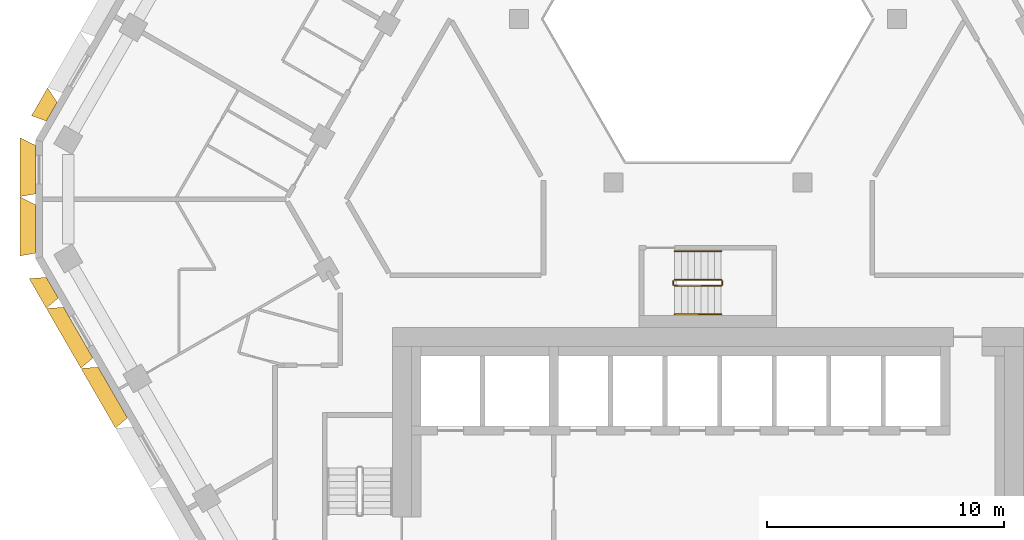
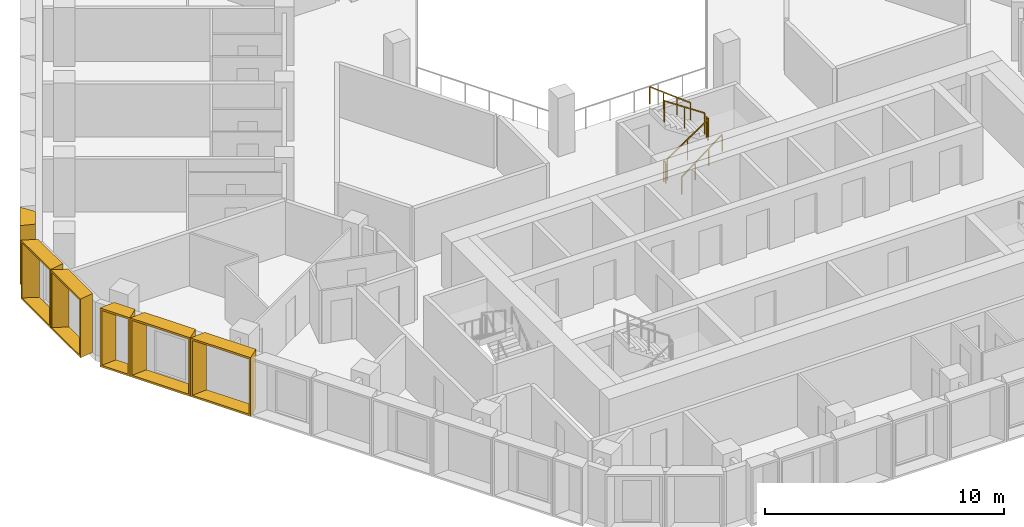
# One storey, part 13 of 15: 6 railings, 6 shading devices.
"""IFC4 building model written with IfcOpenShell, lengths in metres."""

from ifc_helpers import new_model, entity, si_unit, direction, frame, origin, origin_2d, place, context, subcontext, project, spatial, rectangle, extrude, source, transform, mapped, material, type_object, type_shapes, element, save


model = new_model("IFC4")

# Units and contexts
model_context = context("Model", 3, precision=1e-05, world=origin(), true_north=direction((0.0, 1.0)))
body_context = subcontext(model_context, "Body", "Model", "MODEL_VIEW")
ifc_project = project(units=[si_unit("LENGTHUNIT", "METRE"), si_unit("AREAUNIT", "SQUARE_METRE"), si_unit("VOLUMEUNIT", "CUBIC_METRE"), si_unit("PLANEANGLEUNIT", "RADIAN"), si_unit("MASSUNIT", "GRAM", prefix="KILO")], contexts=[model_context])

# Site, building, storey
site_placement = place(None, origin())
site = spatial("IfcSite", under=ifc_project, at=site_placement, CompositionType="ELEMENT")
building_placement = place(site_placement, origin())
building = spatial("IfcBuilding", under=site, at=building_placement, Name="Beryl Residences", CompositionType="ELEMENT")
storey_placement = place(building_placement, frame((0.0, 0.0, 147.60009765625)))
storey = spatial("IfcBuildingStorey", under=building, at=storey_placement, Name="L45", CompositionType="ELEMENT", Elevation=147.60009765625)

# Shading devices
ifc_material_1 = material(Name="Aluminium pale anodised", Category="aluminium")
shading_device_type_1 = type_object("IfcShadingDeviceType", Name="FR137-65B OUTER SKIN frame 650 mm deep, splay 26/10 deg, 1370 x 3000 mm cell", PredefinedType="USERDEFINED", material=ifc_material_1)
cartesian_point_1 = entity("IfcCartesianPoint", [-0.458984375, 0.0])
cartesian_point_2 = entity("IfcCartesianPoint", [-0.369873046875, 0.10009765625])
cartesian_point_3 = entity("IfcCartesianPoint", [-0.776123046875, 0.0])
cartesian_point_4 = entity("IfcCartesianPoint", [-0.68701171875, 0.10009765625])
shared_shape_1 = source(origin(), body_context, "Body", "SweptSolid", [
    entity("IfcExtrudedAreaSolidTapered", entity("IfcArbitraryProfileDefWithVoids", "AREA", None, entity("IfcPolyline", [cartesian_point_1, entity("IfcCartesianPoint", [0.458984375, 0.0]), entity("IfcCartesianPoint", [0.458984375, 3.0]), entity("IfcCartesianPoint", [-0.458984375, 3.0]), cartesian_point_1]), [entity("IfcPolyline", [cartesian_point_2, entity("IfcCartesianPoint", [0.377685546875, 0.10009765625]), entity("IfcCartesianPoint", [0.377685546875, 2.89990234375]), entity("IfcCartesianPoint", [-0.369873046875, 2.89990234375]), cartesian_point_2])]), entity("IfcAxis2Placement3D", entity("IfcCartesianPoint", [0.0, 0.0, 0.0]), entity("IfcDirection", [0.0, 1.0, 0.0]), entity("IfcDirection", [-1.0, 0.0, 0.0])), entity("IfcDirection", [0.0, 0.0, 1.0]), 0.64990234375, entity("IfcArbitraryProfileDefWithVoids", "AREA", None, entity("IfcPolyline", [cartesian_point_3, entity("IfcCartesianPoint", [0.57373046875, 0.0]), entity("IfcCartesianPoint", [0.57373046875, 3.0]), entity("IfcCartesianPoint", [-0.776123046875, 3.0]), cartesian_point_3]), [entity("IfcPolyline", [cartesian_point_4, entity("IfcCartesianPoint", [0.492431640625, 0.10009765625]), entity("IfcCartesianPoint", [0.492431640625, 2.89990234375]), entity("IfcCartesianPoint", [-0.68701171875, 2.89990234375]), cartesian_point_4])])),
])
type_shapes(shading_device_type_1, [shared_shape_1])
shading_device_1_placement = place(storey_placement, frame((-27.658935546875, 4.093017578125, 0.0), z_axis=(0.0, 0.0, 1.0), x_axis=(0.5, 0.866025403784, 0.0)))
element("IfcShadingDevice", 1, at=shading_device_1_placement, inside=storey, type_object=shading_device_type_1, Name="FR137-65B frame L45 NW 9", ObjectType="OUTER SKIN", PredefinedType="USERDEFINED", context=body_context, shape_type="MappedRepresentation", body=[
    mapped(shared_shape_1, transform((0.0, 0.0, 0.0))),
])
ifc_material_2 = material(Name="Aluminium pale anodised", Category="aluminium")
shading_device_type_2 = type_object("IfcShadingDeviceType", Name="FR146-65B OUTER SKIN frame 650 mm deep, splay 26/10 deg, 1460 x 3000 mm cell", PredefinedType="USERDEFINED", material=ifc_material_2)
cartesian_point_5 = entity("IfcCartesianPoint", [-0.50390625, 0.0])
cartesian_point_6 = entity("IfcCartesianPoint", [-0.4150390625, 0.10009765625])
cartesian_point_7 = entity("IfcCartesianPoint", [-0.821044921875, 0.0])
cartesian_point_8 = entity("IfcCartesianPoint", [-0.73193359375, 0.10009765625])
shared_shape_2 = source(origin(), body_context, "Body", "SweptSolid", [
    entity("IfcExtrudedAreaSolidTapered", entity("IfcArbitraryProfileDefWithVoids", "AREA", None, entity("IfcPolyline", [cartesian_point_5, entity("IfcCartesianPoint", [0.50390625, 0.0]), entity("IfcCartesianPoint", [0.50390625, 3.0]), entity("IfcCartesianPoint", [-0.50390625, 3.0]), cartesian_point_5]), [entity("IfcPolyline", [cartesian_point_6, entity("IfcCartesianPoint", [0.4228515625, 0.10009765625]), entity("IfcCartesianPoint", [0.4228515625, 2.89990234375]), entity("IfcCartesianPoint", [-0.4150390625, 2.89990234375]), cartesian_point_6])]), entity("IfcAxis2Placement3D", entity("IfcCartesianPoint", [0.0, 0.0, 0.0]), entity("IfcDirection", [0.0, 1.0, 0.0]), entity("IfcDirection", [-1.0, 0.0, 0.0])), entity("IfcDirection", [0.0, 0.0, 1.0]), 0.64990234375, entity("IfcArbitraryProfileDefWithVoids", "AREA", None, entity("IfcPolyline", [cartesian_point_7, entity("IfcCartesianPoint", [0.61865234375, 0.0]), entity("IfcCartesianPoint", [0.61865234375, 3.0]), entity("IfcCartesianPoint", [-0.821044921875, 3.0]), cartesian_point_7]), [entity("IfcPolyline", [cartesian_point_8, entity("IfcCartesianPoint", [0.537353515625, 0.10009765625]), entity("IfcCartesianPoint", [0.537353515625, 2.89990234375]), entity("IfcCartesianPoint", [-0.73193359375, 2.89990234375]), cartesian_point_8])])),
])
type_shapes(shading_device_type_2, [shared_shape_2])
shading_device_2_placement = place(storey_placement, frame((-27.636962890625, -3.3310546875, 0.0), z_axis=(0.0, 0.0, 1.0), x_axis=(-0.5, 0.866025403784, 0.0)))
element("IfcShadingDevice", 2, at=shading_device_2_placement, inside=storey, type_object=shading_device_type_2, Name="FR146-65B frame L45 SW 1", ObjectType="OUTER SKIN", PredefinedType="USERDEFINED", context=body_context, shape_type="MappedRepresentation", body=[
    mapped(shared_shape_2, transform((0.0, 0.0, 0.0))),
])
ifc_material_3 = material(Name="Aluminium pale anodised", Category="aluminium")
shading_device_type_3 = type_object("IfcShadingDeviceType", Name="FR250-65B OUTER SKIN frame 650 mm deep, splay 26/10 deg, 2500 x 3000 mm cell", PredefinedType="USERDEFINED", material=ifc_material_3)
cartesian_point_9 = entity("IfcCartesianPoint", [-1.02392578125, 0.0])
cartesian_point_10 = entity("IfcCartesianPoint", [-0.93505859375, 0.10009765625])
cartesian_point_11 = entity("IfcCartesianPoint", [-1.341064453125, 0.0])
cartesian_point_12 = entity("IfcCartesianPoint", [-1.251953125, 0.10009765625])
shared_shape_3 = source(origin(), body_context, "Body", "SweptSolid", [
    entity("IfcExtrudedAreaSolidTapered", entity("IfcArbitraryProfileDefWithVoids", "AREA", None, entity("IfcPolyline", [cartesian_point_9, entity("IfcCartesianPoint", [1.02392578125, 0.0]), entity("IfcCartesianPoint", [1.02392578125, 3.0]), entity("IfcCartesianPoint", [-1.02392578125, 3.0]), cartesian_point_9]), [entity("IfcPolyline", [cartesian_point_10, entity("IfcCartesianPoint", [0.94287109375, 0.10009765625]), entity("IfcCartesianPoint", [0.94287109375, 2.89990234375]), entity("IfcCartesianPoint", [-0.93505859375, 2.89990234375]), cartesian_point_10])]), entity("IfcAxis2Placement3D", entity("IfcCartesianPoint", [0.0, 0.0, 0.0]), entity("IfcDirection", [0.0, 1.0, 0.0]), entity("IfcDirection", [-1.0, 0.0, 0.0])), entity("IfcDirection", [0.0, 0.0, 1.0]), 0.64990234375, entity("IfcArbitraryProfileDefWithVoids", "AREA", None, entity("IfcPolyline", [cartesian_point_11, entity("IfcCartesianPoint", [1.138671875, 0.0]), entity("IfcCartesianPoint", [1.138671875, 3.0]), entity("IfcCartesianPoint", [-1.341064453125, 3.0]), cartesian_point_11]), [entity("IfcPolyline", [cartesian_point_12, entity("IfcCartesianPoint", [1.057373046875, 0.10009765625]), entity("IfcCartesianPoint", [1.057373046875, 2.89990234375]), entity("IfcCartesianPoint", [-1.251953125, 2.89990234375]), cartesian_point_12])])),
])
type_shapes(shading_device_type_3, [shared_shape_3])
for number, where, z_axis, x_axis, name in (
    (3, (-28.347900390625, 1.64990234375, 0.0), (0.0, 0.0, 1.0), (0.0, 1.0, 0.0), "FR250-65B frame L45 NW-SW 1"),
    (4, (-28.347900390625, -0.85009765625, 0.0), (0.0, 0.0, 1.0), (0.0, 1.0, 0.0), "FR250-65B frame L45 NW-SW 2"),
):
    element("IfcShadingDevice", number, at=place(storey_placement, frame(where, z_axis=z_axis, x_axis=x_axis)), inside=storey, type_object=shading_device_type_3, Name=name, ObjectType="OUTER SKIN", PredefinedType="USERDEFINED", context=body_context, shape_type="MappedRepresentation", body=[
        mapped(shared_shape_3, transform((0.0, 0.0, 0.0))),
    ])
ifc_material_4 = material(Name="Aluminium pale anodised", Category="aluminium")
shading_device_type_4 = type_object("IfcShadingDeviceType", Name="FR292-65B OUTER SKIN frame 650 mm deep, splay 26/10 deg, 2920 x 3000 mm cell", PredefinedType="USERDEFINED", material=ifc_material_4)
cartesian_point_13 = entity("IfcCartesianPoint", [-1.23388671875, 0.0])
cartesian_point_14 = entity("IfcCartesianPoint", [-1.14501953125, 0.10009765625])
cartesian_point_15 = entity("IfcCartesianPoint", [-1.551025390625, 0.0])
cartesian_point_16 = entity("IfcCartesianPoint", [-1.4619140625, 0.10009765625])
shared_shape_4 = source(origin(), body_context, "Body", "SweptSolid", [
    entity("IfcExtrudedAreaSolidTapered", entity("IfcArbitraryProfileDefWithVoids", "AREA", None, entity("IfcPolyline", [cartesian_point_13, entity("IfcCartesianPoint", [1.23388671875, 0.0]), entity("IfcCartesianPoint", [1.23388671875, 3.0]), entity("IfcCartesianPoint", [-1.23388671875, 3.0]), cartesian_point_13]), [entity("IfcPolyline", [cartesian_point_14, entity("IfcCartesianPoint", [1.15283203125, 0.10009765625]), entity("IfcCartesianPoint", [1.15283203125, 2.89990234375]), entity("IfcCartesianPoint", [-1.14501953125, 2.89990234375]), cartesian_point_14])]), entity("IfcAxis2Placement3D", entity("IfcCartesianPoint", [0.0, 0.0, 0.0]), entity("IfcDirection", [0.0, 1.0, 0.0]), entity("IfcDirection", [-1.0, 0.0, 0.0])), entity("IfcDirection", [0.0, 0.0, 1.0]), 0.64990234375, entity("IfcArbitraryProfileDefWithVoids", "AREA", None, entity("IfcPolyline", [cartesian_point_15, entity("IfcCartesianPoint", [1.3486328125, 0.0]), entity("IfcCartesianPoint", [1.3486328125, 3.0]), entity("IfcCartesianPoint", [-1.551025390625, 3.0]), cartesian_point_15]), [entity("IfcPolyline", [cartesian_point_16, entity("IfcCartesianPoint", [1.267333984375, 0.10009765625]), entity("IfcCartesianPoint", [1.267333984375, 2.89990234375]), entity("IfcCartesianPoint", [-1.4619140625, 2.89990234375]), cartesian_point_16])])),
])
type_shapes(shading_device_type_4, [shared_shape_4])
for number, where, z_axis, x_axis, name in (
    (5, (-26.5439453125, -5.22412109375, 0.0), (0.0, 0.0, 1.0), (-0.5, 0.866025403784, 0.0), "FR292-65B frame L45 SW 2"),
    (6, (-25.0859375, -7.7490234375, 0.0), (0.0, 0.0, 1.0), (-0.5, 0.866025403784, 0.0), "FR292-65B frame L45 SW 3"),
):
    element("IfcShadingDevice", number, at=place(storey_placement, frame(where, z_axis=z_axis, x_axis=x_axis)), inside=storey, type_object=shading_device_type_4, Name=name, ObjectType="OUTER SKIN", PredefinedType="USERDEFINED", context=body_context, shape_type="MappedRepresentation", body=[
        mapped(shared_shape_4, transform((0.0, 0.0, 0.0))),
    ])

# Railings
ifc_material_5 = material(Name="Stainless steel balustrade with glass infill", Category="steel")
railing_type_1 = type_object("IfcRailingType", Name="SG1 stair guard 1100 mm", PredefinedType="GUARDRAIL", material=ifc_material_5)
railing_1_placement = place(storey_placement, frame((-1.39990234375, -3.25, 0.1875)))
element("IfcRailing", 7, at=railing_1_placement, inside=storey, type_object=railing_type_1, Name="L45 ST-4 stair guard 1", PredefinedType="GUARDRAIL", context=body_context, shape_type="SweptSolid", body=[
    extrude(rectangle(XDim=0.048095703125, YDim=0.048095703125, at=origin_2d()), frame((0.0, 0.0, 1.076171875), z_axis=(0.830902050051, 0.0, 0.556418712142), x_axis=(0.0, 1.0, 0.0)), (0.0, 0.0, 1.0), 2.35888671875),
    extrude(rectangle(XDim=0.0419921875, YDim=0.0419921875, at=origin_2d()), origin(), (0.0, 0.0, 1.0), 1.052001953125),
    extrude(rectangle(XDim=0.0419921875, YDim=0.0419921875, at=origin_2d()), frame((0.97998046875, 0.0, 0.65625)), (0.0, 0.0, 1.0), 1.052001953125),
    extrude(rectangle(XDim=0.0419921875, YDim=0.0419921875, at=origin_2d()), frame((1.9599609375, 0.0, 1.3125)), (0.0, 0.0, 1.0), 1.052001953125),
])
railing_2_placement = place(storey_placement, frame((0.610107421875, -3.199951171875, 1.5)))
element("IfcRailing", 8, at=railing_2_placement, inside=storey, type_object=railing_type_1, Name="L45 ST-4 stair guard 2", PredefinedType="GUARDRAIL", context=body_context, shape_type="SweptSolid", body=[
    extrude(rectangle(XDim=0.048095703125, YDim=0.048095703125, at=origin_2d()), frame((0.0, 0.0, 1.076171875), z_axis=(0.0, 1.0, 0.0), x_axis=(-1.0, 0.0, 0.0)), (0.0, 0.0, 1.0), 0.14990234375),
    extrude(rectangle(XDim=0.0419921875, YDim=0.0419921875, at=origin_2d()), origin(), (0.0, 0.0, 1.0), 1.052001953125),
    extrude(rectangle(XDim=0.0419921875, YDim=0.0419921875, at=origin_2d()), frame((0.0, 0.14990234375, 0.0)), (0.0, 0.0, 1.0), 1.052001953125),
])
railing_3_placement = place(storey_placement, frame((0.56005859375, -3.0, 1.6875)))
element("IfcRailing", 9, at=railing_3_placement, inside=storey, type_object=railing_type_1, Name="L45 ST-4 stair guard 3", PredefinedType="GUARDRAIL", context=body_context, shape_type="SweptSolid", body=[
    extrude(rectangle(XDim=0.048095703125, YDim=0.048095703125, at=origin_2d()), frame((0.0, 0.0, 1.076171875), z_axis=(-0.830902050051, 0.0, 0.556418712142), x_axis=(0.0, -1.0, 0.0)), (0.0, 0.0, 1.0), 2.35888671875),
    extrude(rectangle(XDim=0.0419921875, YDim=0.0419921875, at=origin_2d()), origin(), (0.0, 0.0, 1.0), 1.052001953125),
    extrude(rectangle(XDim=0.0419921875, YDim=0.0419921875, at=origin_2d()), frame((-0.97998046875, 0.0, 0.65625)), (0.0, 0.0, 1.0), 1.052001953125),
    extrude(rectangle(XDim=0.0419921875, YDim=0.0419921875, at=origin_2d()), frame((-1.9599609375, 0.0, 1.3125)), (0.0, 0.0, 1.0), 1.052001953125),
])
railing_4_placement = place(storey_placement, frame((-1.449951171875, -3.199951171875, 0.0)))
element("IfcRailing", 10, at=railing_4_placement, inside=storey, type_object=railing_type_1, Name="L45 ST-4 stair guard 4", PredefinedType="GUARDRAIL", context=body_context, shape_type="SweptSolid", body=[
    extrude(rectangle(XDim=0.048095703125, YDim=0.048095703125, at=origin_2d()), frame((0.0, 0.0, 1.076171875), z_axis=(0.0, 1.0, 0.0), x_axis=(-1.0, 0.0, 0.0)), (0.0, 0.0, 1.0), 0.14990234375),
    extrude(rectangle(XDim=0.0419921875, YDim=0.0419921875, at=origin_2d()), origin(), (0.0, 0.0, 1.0), 1.052001953125),
    extrude(rectangle(XDim=0.0419921875, YDim=0.0419921875, at=origin_2d()), frame((0.0, 0.14990234375, 0.0)), (0.0, 0.0, 1.0), 1.052001953125),
])
ifc_material_6 = material(Name="Stainless steel handrail", Category="steel")
railing_type_2 = type_object("IfcRailingType", Name="SRL1 stair handrail 900 mm", PredefinedType="HANDRAIL", material=ifc_material_6)
railing_5_placement = place(storey_placement, frame((-1.39990234375, -4.449951171875, 0.1875)))
element("IfcRailing", 11, at=railing_5_placement, inside=storey, type_object=railing_type_2, Name="L45 ST-4 stair handrail 1", PredefinedType="HANDRAIL", context=body_context, shape_type="SweptSolid", body=[
    extrude(rectangle(XDim=0.048095703125, YDim=0.048095703125, at=origin_2d()), frame((0.0, 0.0, 0.8759765625), z_axis=(0.794121922505, 0.0, 0.607758481798), x_axis=(0.0, 1.0, 0.0)), (0.0, 0.0, 1.0), 2.468017578125),
    extrude(rectangle(XDim=0.0419921875, YDim=0.0419921875, at=origin_2d()), origin(), (0.0, 0.0, 1.0), 0.851806640625),
    extrude(rectangle(XDim=0.0419921875, YDim=0.0419921875, at=origin_2d()), frame((0.6533203125, 0.0, 0.5)), (0.0, 0.0, 1.0), 0.851806640625),
    extrude(rectangle(XDim=0.0419921875, YDim=0.0419921875, at=origin_2d()), frame((1.306640625, 0.0, 1.0)), (0.0, 0.0, 1.0), 0.851806640625),
    extrude(rectangle(XDim=0.0419921875, YDim=0.0419921875, at=origin_2d()), frame((1.9599609375, 0.0, 1.5)), (0.0, 0.0, 1.0), 0.851806640625),
])
railing_6_placement = place(storey_placement, frame((0.56005859375, -1.800048828125, 1.6875)))
element("IfcRailing", 12, at=railing_6_placement, inside=storey, type_object=railing_type_2, Name="L45 ST-4 stair handrail 2", PredefinedType="HANDRAIL", context=body_context, shape_type="SweptSolid", body=[
    extrude(rectangle(XDim=0.048095703125, YDim=0.048095703125, at=origin_2d()), frame((0.0, 0.0, 0.8759765625), z_axis=(-0.794121922505, 0.0, 0.607758481798), x_axis=(0.0, -1.0, 0.0)), (0.0, 0.0, 1.0), 2.468017578125),
    extrude(rectangle(XDim=0.0419921875, YDim=0.0419921875, at=origin_2d()), origin(), (0.0, 0.0, 1.0), 0.851806640625),
    extrude(rectangle(XDim=0.0419921875, YDim=0.0419921875, at=origin_2d()), frame((-0.6533203125, 0.0, 0.5)), (0.0, 0.0, 1.0), 0.851806640625),
    extrude(rectangle(XDim=0.0419921875, YDim=0.0419921875, at=origin_2d()), frame((-1.306640625, 0.0, 1.0)), (0.0, 0.0, 1.0), 0.851806640625),
    extrude(rectangle(XDim=0.0419921875, YDim=0.0419921875, at=origin_2d()), frame((-1.9599609375, 0.0, 1.5)), (0.0, 0.0, 1.0), 0.851806640625),
])

save(model, "model.ifc")
